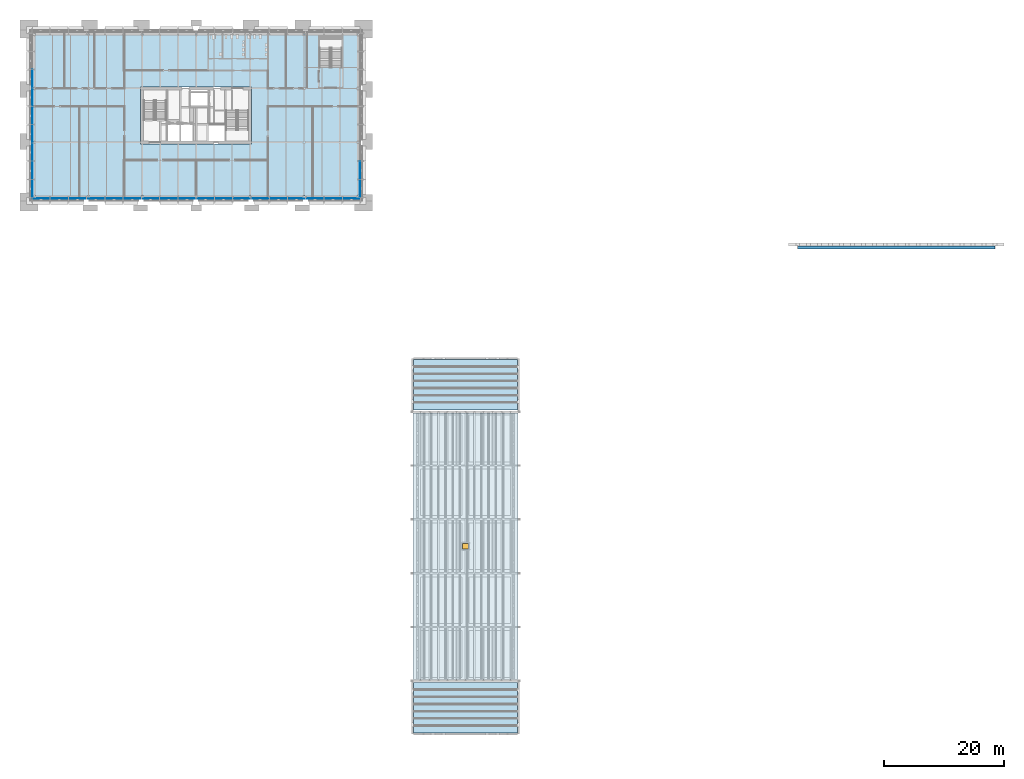
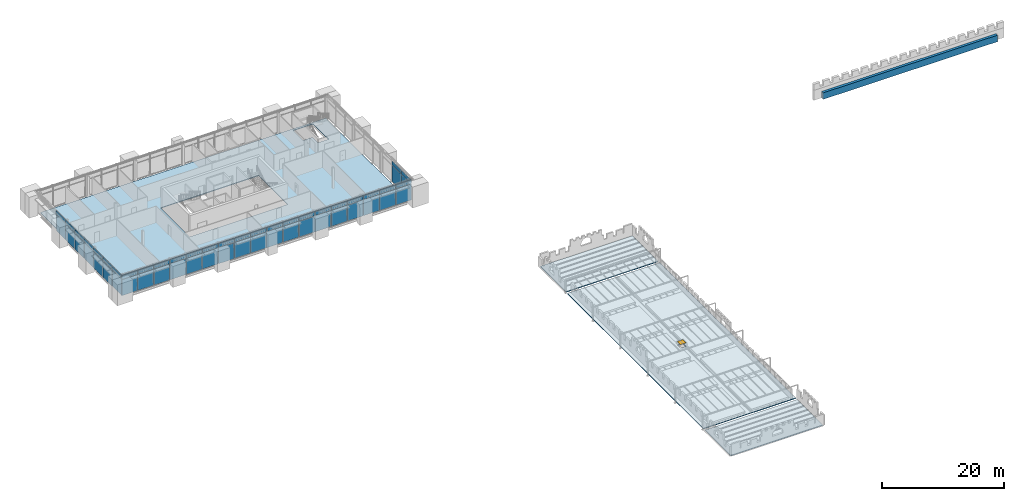
# One storey, part 17 of 37: 54 plates, 4 slabs, 1 beam, 1 window, 1 opening, 3 elements without a shape of their own.
"""IFC4 building model written with IfcOpenShell, lengths in metres."""

from ifc_helpers import new_model, si_unit, direction, frame, origin, origin_2d, place, context, subcontext, project, spatial, polyline, rectangle, hollow_rectangle, outline, extrude, material, layer, layer_set, material_profile, profile_set, type_object, element, fill, aggregate, save


model = new_model("IFC4")

# Units and contexts
model_context = context("Model", 3, precision=1e-05, world=origin(), true_north=direction((0.0, 1.0)))
body_context = subcontext(model_context, "Body", "Model", "MODEL_VIEW")
ifc_project = project(units=[si_unit("LENGTHUNIT", "METRE"), si_unit("AREAUNIT", "SQUARE_METRE"), si_unit("VOLUMEUNIT", "CUBIC_METRE"), si_unit("PLANEANGLEUNIT", "RADIAN"), si_unit("MASSUNIT", "GRAM", prefix="KILO")], contexts=[model_context])

# Site, building, storey
site_placement = place(None, origin())
site = spatial("IfcSite", under=ifc_project, at=site_placement, CompositionType="ELEMENT")
building_placement = place(site_placement, origin())
building = spatial("IfcBuilding", under=site, at=building_placement, Name="Baradari Gate Terminus", CompositionType="ELEMENT")
storey_placement = place(building_placement, frame((0.0, 0.0, 24.300048828125)))
storey = spatial("IfcBuildingStorey", under=building, at=storey_placement, Name="L05", CompositionType="ELEMENT", Elevation=24.300048828125)

# Beam
ifc_material_1 = material(Name="Steel S355", Category="steel")
ifc_material_profile = material_profile(ifc_material_1, hollow_rectangle(XDim=0.5, YDim=1.300048828125, WallThickness=0.02490234375, at=origin_2d()), Name="FB 500x1300x25")
ifc_profile_set = profile_set([ifc_material_profile], Name="Steel S355")
beam_type = type_object("IfcBeamType", Name="Pishtaq fascia girder B68 FB 500x1300x25", PredefinedType="BEAM", material=ifc_profile_set)
beam_placement = place(storey_placement, frame((136.5, 108.449951171875, 0.349853515625), z_axis=(1.0, 0.0, 0.0), x_axis=(0.0, 1.0, 0.0)))
element("IfcBeam", 1, at=beam_placement, inside=storey, type_object=beam_type, Name="Pishtaq fascia girder B68 136.5-169.5 L05", PredefinedType="BEAM", context=body_context, shape_type="SweptSolid", body=[
    extrude(hollow_rectangle(XDim=0.5, YDim=1.300048828125, WallThickness=0.02490234375, at=origin_2d()), origin(), (0.0, 0.0, 1.0), 33.0),
])

# Slab
ifc_material_2 = material(Name="Concrete C35/45", Category="concrete")
ifc_layer_1 = layer(ifc_material_2, 0.1298828125)
ifc_layer_set_1 = layer_set([ifc_layer_1], Name="Concrete C35/45")
slab_type_1 = type_object("IfcSlabType", Name="Composite floor slab SL1 130", PredefinedType="FLOOR", material=ifc_layer_set_1)
slab_1_placement = place(storey_placement, frame((0.0, 0.0, -0.130126953125)))
element("IfcSlab", 2, at=slab_1_placement, inside=storey, type_object=slab_type_1, Name="Block floor", PredefinedType="FLOOR", context=body_context, shape_type="SweptSolid", body=[
    extrude(outline(polyline([(63.0, 117.0), (63.0, 144.0), (9.0, 144.0), (9.0, 117.0), (63.0, 117.0)]), holes=[polyline([(56.60009765625, 143.60009765625), (56.60009765625, 140.320068359375), (58.39990234375, 140.320068359375), (58.39990234375, 138.5), (60.39990234375, 138.5), (60.39990234375, 143.60009765625), (56.60009765625, 143.60009765625)]), polyline([(26.72509765625, 125.72509765625), (45.27490234375, 125.72509765625), (45.27490234375, 126.22509765625), (45.27490234375, 134.77490234375), (45.27490234375, 135.27490234375), (26.72509765625, 135.27490234375), (26.72509765625, 134.77490234375), (26.72509765625, 126.22509765625), (26.72509765625, 125.72509765625)])]), origin(), (0.0, 0.0, 1.0), 0.130126953125),
])

# Slab, opening, window
ifc_material_3 = material(Name="Concrete C35/45", Category="concrete")
ifc_layer_2 = layer(ifc_material_3, 0.14990234375)
ifc_layer_set_2 = layer_set([ifc_layer_2], Name="Concrete C35/45")
slab_type_2 = type_object("IfcSlabType", Name="Composite roof slab SL2 150", PredefinedType="ROOF", material=ifc_layer_set_2)
slab_2_placement = place(storey_placement, frame((0.0, 0.0, -0.150146484375)))
slab_2 = element("IfcSlab", 3, at=slab_2_placement, inside=storey, type_object=slab_type_2, Name="Gate roof", PredefinedType="ROOF", context=body_context, shape_type="SweptSolid", body=[
    extrude(outline(polyline([(72.25, 80.800048828125), (72.25, 36.199951171875), (89.75, 36.199951171875), (89.75, 80.800048828125), (72.25, 80.800048828125)])), origin(), (0.0, 0.0, 1.0), 0.150146484375),
])
opening_placement = place(slab_2_placement, frame((81.0, 58.5, 0.0)))
opening = element("IfcOpeningElement", 4, at=opening_placement, cuts=slab_2, Name="Opening RH1", PredefinedType="OPENING", context=body_context, shape_type="SweptSolid", body=[
    extrude(rectangle(XDim=1.0, YDim=1.0, at=origin_2d()), frame((0.0, 0.0, -0.010009765625)), (0.0, 0.0, 1.0), 0.8701171875),
])
ifc_material_4 = material(Name="Aluminium", Category="aluminium")
window_type = type_object("IfcWindowType", Name="Roof access hatch", PartitioningType="SINGLE_PANEL", PredefinedType="SKYLIGHT", material=ifc_material_4)
window_placement = place(opening_placement, frame((0.0, 0.0, 0.800048828125)))
window = element("IfcWindow", 5, at=window_placement, inside=storey, type_object=window_type, Name="RF/L05/RH4", OverallHeight=1.0, OverallWidth=1.0, PartitioningType="SINGLE_PANEL", PredefinedType="SKYLIGHT", context=body_context, shape_type="SweptSolid", body=[
    extrude(rectangle(XDim=1.0, YDim=1.0, at=origin_2d()), origin(), (0.0, 0.0, 1.0), 0.050048828125),
])
fill(opening, window)

# Slabs
slab_3_placement = place(storey_placement, frame((0.0, 0.0, -0.150146484375)))
element("IfcSlab", 6, at=slab_3_placement, inside=storey, type_object=slab_type_2, Name="Gate abutment roof N", PredefinedType="ROOF", context=body_context, shape_type="SweptSolid", body=[
    extrude(outline(polyline([(89.699951171875, 89.699951171875), (72.300048828125, 89.699951171875), (72.300048828125, 81.300048828125), (89.699951171875, 81.300048828125), (89.699951171875, 89.699951171875)])), origin(), (0.0, 0.0, 1.0), 0.150146484375),
])
slab_4_placement = place(storey_placement, frame((0.0, 0.0, -0.150146484375)))
element("IfcSlab", 7, at=slab_4_placement, inside=storey, type_object=slab_type_2, Name="Gate abutment roof S", PredefinedType="ROOF", context=body_context, shape_type="SweptSolid", body=[
    extrude(outline(polyline([(72.300048828125, 35.699951171875), (72.300048828125, 27.300048828125), (89.699951171875, 27.300048828125), (89.699951171875, 35.699951171875), (72.300048828125, 35.699951171875)])), origin(), (0.0, 0.0, 1.0), 0.150146484375),
])

# Curtain wall, plates
ifc_material_5 = material(Name="Aluminium 6063-T6", Category="aluminium")
curtain_wall_type = type_object("IfcCurtainWallType", Name="Curtain wall CW-1 block unitised, zone L02-L05", PredefinedType="NOTDEFINED", material=ifc_material_5)
curtain_wall_1_placement = place(storey_placement, origin())
curtain_wall_1 = element("IfcCurtainWall", 8, at=curtain_wall_1_placement, inside=storey, type_object=curtain_wall_type, Name="Curtain wall CW-1 Operations block S face L05", PredefinedType="NOTDEFINED")
ifc_material_6 = material(Name="Insulating glass unit", Category="glass")
ifc_layer_3 = layer(ifc_material_6, 0.030029296875)
ifc_layer_set_3 = layer_set([ifc_layer_3], Name="Insulating glass unit")
plate_type_1 = type_object("IfcPlateType", Name="Curtain wall glazing unit CP-1 30", PredefinedType="CURTAIN_PANEL", material=ifc_layer_set_3)
plate_1_placement = place(storey_placement, frame((10.072265625, 116.6298828125, 0.06494140625), z_axis=(0.0, 0.0, 1.0), x_axis=(1.0, 0.0, 0.0)))
plate_1 = element("IfcPlate", 9, at=plate_1_placement, type_object=plate_type_1, Name="CW-1 panel 1.1", PredefinedType="CURTAIN_PANEL", context=body_context, shape_type="SweptSolid", body=[
    extrude(rectangle(XDim=2.954833984375, YDim=0.030029296875, at=origin_2d()), origin(), (0.0, 0.0, 1.0), 3.202392578125),
])
plate_2_placement = place(storey_placement, frame((13.1083984375, 116.6298828125, 0.06494140625), z_axis=(0.0, 0.0, 1.0), x_axis=(1.0, 0.0, 0.0)))
plate_2 = element("IfcPlate", 10, at=plate_2_placement, type_object=plate_type_1, Name="CW-1 panel 2.1", PredefinedType="CURTAIN_PANEL", context=body_context, shape_type="SweptSolid", body=[
    extrude(rectangle(XDim=2.9873046875, YDim=0.030029296875, at=origin_2d()), origin(), (0.0, 0.0, 1.0), 3.202392578125),
])
plate_3_placement = place(storey_placement, frame((16.16064453125, 116.6298828125, 0.06494140625), z_axis=(0.0, 0.0, 1.0), x_axis=(1.0, 0.0, 0.0)))
plate_3 = element("IfcPlate", 11, at=plate_3_placement, type_object=plate_type_1, Name="CW-1 panel 3.1", PredefinedType="CURTAIN_PANEL", context=body_context, shape_type="SweptSolid", body=[
    extrude(rectangle(XDim=2.9873046875, YDim=0.030029296875, at=origin_2d()), origin(), (0.0, 0.0, 1.0), 3.202392578125),
])
plate_4_placement = place(storey_placement, frame((19.212890625, 116.6298828125, 0.06494140625), z_axis=(0.0, 0.0, 1.0), x_axis=(1.0, 0.0, 0.0)))
plate_4 = element("IfcPlate", 12, at=plate_4_placement, type_object=plate_type_1, Name="CW-1 panel 4.1", PredefinedType="CURTAIN_PANEL", context=body_context, shape_type="SweptSolid", body=[
    extrude(rectangle(XDim=2.9873046875, YDim=0.030029296875, at=origin_2d()), origin(), (0.0, 0.0, 1.0), 3.202392578125),
])
plate_5_placement = place(storey_placement, frame((22.264892578125, 116.6298828125, 0.06494140625), z_axis=(0.0, 0.0, 1.0), x_axis=(1.0, 0.0, 0.0)))
plate_5 = element("IfcPlate", 13, at=plate_5_placement, type_object=plate_type_1, Name="CW-1 panel 5.1", PredefinedType="CURTAIN_PANEL", context=body_context, shape_type="SweptSolid", body=[
    extrude(rectangle(XDim=2.9873046875, YDim=0.030029296875, at=origin_2d()), origin(), (0.0, 0.0, 1.0), 3.202392578125),
])
plate_6_placement = place(storey_placement, frame((25.317138671875, 116.6298828125, 0.06494140625), z_axis=(0.0, 0.0, 1.0), x_axis=(1.0, 0.0, 0.0)))
plate_6 = element("IfcPlate", 14, at=plate_6_placement, type_object=plate_type_1, Name="CW-1 panel 6.1", PredefinedType="CURTAIN_PANEL", context=body_context, shape_type="SweptSolid", body=[
    extrude(rectangle(XDim=2.9873046875, YDim=0.030029296875, at=origin_2d()), origin(), (0.0, 0.0, 1.0), 3.202392578125),
])
plate_7_placement = place(storey_placement, frame((28.369384765625, 116.6298828125, 0.06494140625), z_axis=(0.0, 0.0, 1.0), x_axis=(1.0, 0.0, 0.0)))
plate_7 = element("IfcPlate", 15, at=plate_7_placement, type_object=plate_type_1, Name="CW-1 panel 7.1", PredefinedType="CURTAIN_PANEL", context=body_context, shape_type="SweptSolid", body=[
    extrude(rectangle(XDim=2.9873046875, YDim=0.030029296875, at=origin_2d()), origin(), (0.0, 0.0, 1.0), 3.202392578125),
])
plate_8_placement = place(storey_placement, frame((31.421630859375, 116.6298828125, 0.06494140625), z_axis=(0.0, 0.0, 1.0), x_axis=(1.0, 0.0, 0.0)))
plate_8 = element("IfcPlate", 16, at=plate_8_placement, type_object=plate_type_1, Name="CW-1 panel 8.1", PredefinedType="CURTAIN_PANEL", context=body_context, shape_type="SweptSolid", body=[
    extrude(rectangle(XDim=2.9873046875, YDim=0.030029296875, at=origin_2d()), origin(), (0.0, 0.0, 1.0), 3.202392578125),
])
plate_9_placement = place(storey_placement, frame((34.473876953125, 116.6298828125, 0.06494140625), z_axis=(0.0, 0.0, 1.0), x_axis=(1.0, 0.0, 0.0)))
plate_9 = element("IfcPlate", 17, at=plate_9_placement, type_object=plate_type_1, Name="CW-1 panel 9.1", PredefinedType="CURTAIN_PANEL", context=body_context, shape_type="SweptSolid", body=[
    extrude(rectangle(XDim=2.9873046875, YDim=0.030029296875, at=origin_2d()), origin(), (0.0, 0.0, 1.0), 3.202392578125),
])
plate_10_placement = place(storey_placement, frame((37.526123046875, 116.6298828125, 0.06494140625), z_axis=(0.0, 0.0, 1.0), x_axis=(1.0, 0.0, 0.0)))
plate_10 = element("IfcPlate", 18, at=plate_10_placement, type_object=plate_type_1, Name="CW-1 panel 10.1", PredefinedType="CURTAIN_PANEL", context=body_context, shape_type="SweptSolid", body=[
    extrude(rectangle(XDim=2.9873046875, YDim=0.030029296875, at=origin_2d()), origin(), (0.0, 0.0, 1.0), 3.202392578125),
])
plate_11_placement = place(storey_placement, frame((40.578369140625, 116.6298828125, 0.06494140625), z_axis=(0.0, 0.0, 1.0), x_axis=(1.0, 0.0, 0.0)))
plate_11 = element("IfcPlate", 19, at=plate_11_placement, type_object=plate_type_1, Name="CW-1 panel 11.1", PredefinedType="CURTAIN_PANEL", context=body_context, shape_type="SweptSolid", body=[
    extrude(rectangle(XDim=2.9873046875, YDim=0.030029296875, at=origin_2d()), origin(), (0.0, 0.0, 1.0), 3.202392578125),
])
plate_12_placement = place(storey_placement, frame((43.630615234375, 116.6298828125, 0.06494140625), z_axis=(0.0, 0.0, 1.0), x_axis=(1.0, 0.0, 0.0)))
plate_12 = element("IfcPlate", 20, at=plate_12_placement, type_object=plate_type_1, Name="CW-1 panel 12.1", PredefinedType="CURTAIN_PANEL", context=body_context, shape_type="SweptSolid", body=[
    extrude(rectangle(XDim=2.9873046875, YDim=0.030029296875, at=origin_2d()), origin(), (0.0, 0.0, 1.0), 3.202392578125),
])
plate_13_placement = place(storey_placement, frame((46.682861328125, 116.6298828125, 0.06494140625), z_axis=(0.0, 0.0, 1.0), x_axis=(1.0, 0.0, 0.0)))
plate_13 = element("IfcPlate", 21, at=plate_13_placement, type_object=plate_type_1, Name="CW-1 panel 13.1", PredefinedType="CURTAIN_PANEL", context=body_context, shape_type="SweptSolid", body=[
    extrude(rectangle(XDim=2.9873046875, YDim=0.030029296875, at=origin_2d()), origin(), (0.0, 0.0, 1.0), 3.202392578125),
])
plate_14_placement = place(storey_placement, frame((49.735107421875, 116.6298828125, 0.06494140625), z_axis=(0.0, 0.0, 1.0), x_axis=(1.0, 0.0, 0.0)))
plate_14 = element("IfcPlate", 22, at=plate_14_placement, type_object=plate_type_1, Name="CW-1 panel 14.1", PredefinedType="CURTAIN_PANEL", context=body_context, shape_type="SweptSolid", body=[
    extrude(rectangle(XDim=2.9873046875, YDim=0.030029296875, at=origin_2d()), origin(), (0.0, 0.0, 1.0), 3.202392578125),
])
plate_15_placement = place(storey_placement, frame((52.787109375, 116.6298828125, 0.06494140625), z_axis=(0.0, 0.0, 1.0), x_axis=(1.0, 0.0, 0.0)))
plate_15 = element("IfcPlate", 23, at=plate_15_placement, type_object=plate_type_1, Name="CW-1 panel 15.1", PredefinedType="CURTAIN_PANEL", context=body_context, shape_type="SweptSolid", body=[
    extrude(rectangle(XDim=2.9873046875, YDim=0.030029296875, at=origin_2d()), origin(), (0.0, 0.0, 1.0), 3.202392578125),
])
plate_16_placement = place(storey_placement, frame((55.83935546875, 116.6298828125, 0.06494140625), z_axis=(0.0, 0.0, 1.0), x_axis=(1.0, 0.0, 0.0)))
plate_16 = element("IfcPlate", 24, at=plate_16_placement, type_object=plate_type_1, Name="CW-1 panel 16.1", PredefinedType="CURTAIN_PANEL", context=body_context, shape_type="SweptSolid", body=[
    extrude(rectangle(XDim=2.9873046875, YDim=0.030029296875, at=origin_2d()), origin(), (0.0, 0.0, 1.0), 3.202392578125),
])
plate_17_placement = place(storey_placement, frame((58.8916015625, 116.6298828125, 0.06494140625), z_axis=(0.0, 0.0, 1.0), x_axis=(1.0, 0.0, 0.0)))
plate_17 = element("IfcPlate", 25, at=plate_17_placement, type_object=plate_type_1, Name="CW-1 panel 17.1", PredefinedType="CURTAIN_PANEL", context=body_context, shape_type="SweptSolid", body=[
    extrude(rectangle(XDim=2.9873046875, YDim=0.030029296875, at=origin_2d()), origin(), (0.0, 0.0, 1.0), 3.202392578125),
])
plate_18_placement = place(storey_placement, frame((61.927734375, 116.6298828125, 0.06494140625), z_axis=(0.0, 0.0, 1.0), x_axis=(1.0, 0.0, 0.0)))
plate_18 = element("IfcPlate", 26, at=plate_18_placement, type_object=plate_type_1, Name="CW-1 panel 18.1", PredefinedType="CURTAIN_PANEL", context=body_context, shape_type="SweptSolid", body=[
    extrude(rectangle(XDim=2.954833984375, YDim=0.030029296875, at=origin_2d()), origin(), (0.0, 0.0, 1.0), 3.202392578125),
])

curtain_wall_2_placement = place(storey_placement, origin())
curtain_wall_2 = element("IfcCurtainWall", 27, at=curtain_wall_2_placement, inside=storey, type_object=curtain_wall_type, Name="Curtain wall CW-1 Operations block W face L05", PredefinedType="NOTDEFINED")
plate_19_placement = place(storey_placement, frame((8.6298828125, 118.2763671875, 0.06494140625), z_axis=(0.0, 0.0, 1.0), x_axis=(0.0, 1.0, 0.0)))
plate_19 = element("IfcPlate", 28, at=plate_19_placement, type_object=plate_type_1, Name="CW-1 panel 1.1", PredefinedType="CURTAIN_PANEL", context=body_context, shape_type="SweptSolid", body=[
    extrude(rectangle(XDim=2.96240234375, YDim=0.030029296875, at=origin_2d()), origin(), (0.0, 0.0, 1.0), 3.202392578125),
])
plate_20_placement = place(storey_placement, frame((8.6298828125, 121.320068359375, 0.06494140625), z_axis=(0.0, 0.0, 1.0), x_axis=(0.0, 1.0, 0.0)))
plate_20 = element("IfcPlate", 29, at=plate_20_placement, type_object=plate_type_1, Name="CW-1 panel 2.1", PredefinedType="CURTAIN_PANEL", context=body_context, shape_type="SweptSolid", body=[
    extrude(rectangle(XDim=2.9951171875, YDim=0.030029296875, at=origin_2d()), origin(), (0.0, 0.0, 1.0), 3.202392578125),
])
plate_21_placement = place(storey_placement, frame((8.6298828125, 124.3798828125, 0.06494140625), z_axis=(0.0, 0.0, 1.0), x_axis=(0.0, 1.0, 0.0)))
plate_21 = element("IfcPlate", 30, at=plate_21_placement, type_object=plate_type_1, Name="CW-1 panel 3.1", PredefinedType="CURTAIN_PANEL", context=body_context, shape_type="SweptSolid", body=[
    extrude(rectangle(XDim=2.9951171875, YDim=0.030029296875, at=origin_2d()), origin(), (0.0, 0.0, 1.0), 3.202392578125),
])
plate_22_placement = place(storey_placement, frame((8.6298828125, 127.43994140625, 0.06494140625), z_axis=(0.0, 0.0, 1.0), x_axis=(0.0, 1.0, 0.0)))
plate_22 = element("IfcPlate", 31, at=plate_22_placement, type_object=plate_type_1, Name="CW-1 panel 4.1", PredefinedType="CURTAIN_PANEL", context=body_context, shape_type="SweptSolid", body=[
    extrude(rectangle(XDim=2.9951171875, YDim=0.030029296875, at=origin_2d()), origin(), (0.0, 0.0, 1.0), 3.202392578125),
])
plate_23_placement = place(storey_placement, frame((8.6298828125, 130.5, 0.06494140625), z_axis=(0.0, 0.0, 1.0), x_axis=(0.0, 1.0, 0.0)))
plate_23 = element("IfcPlate", 32, at=plate_23_placement, type_object=plate_type_1, Name="CW-1 panel 5.1", PredefinedType="CURTAIN_PANEL", context=body_context, shape_type="SweptSolid", body=[
    extrude(rectangle(XDim=2.9951171875, YDim=0.030029296875, at=origin_2d()), origin(), (0.0, 0.0, 1.0), 3.202392578125),
])
plate_24_placement = place(storey_placement, frame((8.6298828125, 133.56005859375, 0.06494140625), z_axis=(0.0, 0.0, 1.0), x_axis=(0.0, 1.0, 0.0)))
plate_24 = element("IfcPlate", 33, at=plate_24_placement, type_object=plate_type_1, Name="CW-1 panel 6.1", PredefinedType="CURTAIN_PANEL", context=body_context, shape_type="SweptSolid", body=[
    extrude(rectangle(XDim=2.9951171875, YDim=0.030029296875, at=origin_2d()), origin(), (0.0, 0.0, 1.0), 3.202392578125),
])
plate_25_placement = place(storey_placement, frame((8.6298828125, 136.6201171875, 0.06494140625), z_axis=(0.0, 0.0, 1.0), x_axis=(0.0, 1.0, 0.0)))
plate_25 = element("IfcPlate", 34, at=plate_25_placement, type_object=plate_type_1, Name="CW-1 panel 7.1", PredefinedType="CURTAIN_PANEL", context=body_context, shape_type="SweptSolid", body=[
    extrude(rectangle(XDim=2.9951171875, YDim=0.030029296875, at=origin_2d()), origin(), (0.0, 0.0, 1.0), 3.202392578125),
])

curtain_wall_3_placement = place(storey_placement, origin())
curtain_wall_3 = element("IfcCurtainWall", 35, at=curtain_wall_3_placement, inside=storey, type_object=curtain_wall_type, Name="Curtain wall CW-1 Operations block E face L05", PredefinedType="NOTDEFINED")
plate_26_placement = place(storey_placement, frame((63.3701171875, 118.2763671875, 0.06494140625), z_axis=(0.0, 0.0, 1.0), x_axis=(0.0, 1.0, 0.0)))
plate_26 = element("IfcPlate", 36, at=plate_26_placement, type_object=plate_type_1, Name="CW-1 panel 1.1", PredefinedType="CURTAIN_PANEL", context=body_context, shape_type="SweptSolid", body=[
    extrude(rectangle(XDim=2.96240234375, YDim=0.030029296875, at=origin_2d()), origin(), (0.0, 0.0, 1.0), 3.202392578125),
])
plate_27_placement = place(storey_placement, frame((63.3701171875, 121.320068359375, 0.06494140625), z_axis=(0.0, 0.0, 1.0), x_axis=(0.0, 1.0, 0.0)))
plate_27 = element("IfcPlate", 37, at=plate_27_placement, type_object=plate_type_1, Name="CW-1 panel 2.1", PredefinedType="CURTAIN_PANEL", context=body_context, shape_type="SweptSolid", body=[
    extrude(rectangle(XDim=2.9951171875, YDim=0.030029296875, at=origin_2d()), origin(), (0.0, 0.0, 1.0), 3.202392578125),
])

# Plate
ifc_material_7 = material(Name="Back-painted glass", Category="glass")
ifc_layer_4 = layer(ifc_material_7, 0.070068359375)
ifc_layer_set_4 = layer_set([ifc_layer_4], Name="Back-painted glass")
plate_type_2 = type_object("IfcPlateType", Name="Curtain wall spandrel panel CP-S1 70", PredefinedType="CURTAIN_PANEL", material=ifc_layer_set_4)
plate_28_placement = place(storey_placement, frame((10.072265625, 116.6298828125, 3.33251953125), z_axis=(0.0, 0.0, 1.0), x_axis=(1.0, 0.0, 0.0)))
plate_28 = element("IfcPlate", 38, at=plate_28_placement, type_object=plate_type_2, Name="CW-1 spandrel panel 1.2", PredefinedType="CURTAIN_PANEL", context=body_context, shape_type="SweptSolid", body=[
    extrude(rectangle(XDim=2.954833984375, YDim=0.070068359375, at=origin_2d()), origin(), (0.0, 0.0, 1.0), 0.802490234375),
])

plate_29_placement = place(storey_placement, frame((13.1083984375, 116.6298828125, 3.33251953125), z_axis=(0.0, 0.0, 1.0), x_axis=(1.0, 0.0, 0.0)))
plate_29 = element("IfcPlate", 39, at=plate_29_placement, type_object=plate_type_2, Name="CW-1 spandrel panel 2.2", PredefinedType="CURTAIN_PANEL", context=body_context, shape_type="SweptSolid", body=[
    extrude(rectangle(XDim=2.9873046875, YDim=0.070068359375, at=origin_2d()), origin(), (0.0, 0.0, 1.0), 0.802490234375),
])

plate_30_placement = place(storey_placement, frame((16.16064453125, 116.6298828125, 3.33251953125), z_axis=(0.0, 0.0, 1.0), x_axis=(1.0, 0.0, 0.0)))
plate_30 = element("IfcPlate", 40, at=plate_30_placement, type_object=plate_type_2, Name="CW-1 spandrel panel 3.2", PredefinedType="CURTAIN_PANEL", context=body_context, shape_type="SweptSolid", body=[
    extrude(rectangle(XDim=2.9873046875, YDim=0.070068359375, at=origin_2d()), origin(), (0.0, 0.0, 1.0), 0.802490234375),
])

plate_31_placement = place(storey_placement, frame((19.212890625, 116.6298828125, 3.33251953125), z_axis=(0.0, 0.0, 1.0), x_axis=(1.0, 0.0, 0.0)))
plate_31 = element("IfcPlate", 41, at=plate_31_placement, type_object=plate_type_2, Name="CW-1 spandrel panel 4.2", PredefinedType="CURTAIN_PANEL", context=body_context, shape_type="SweptSolid", body=[
    extrude(rectangle(XDim=2.9873046875, YDim=0.070068359375, at=origin_2d()), origin(), (0.0, 0.0, 1.0), 0.802490234375),
])

plate_32_placement = place(storey_placement, frame((22.264892578125, 116.6298828125, 3.33251953125), z_axis=(0.0, 0.0, 1.0), x_axis=(1.0, 0.0, 0.0)))
plate_32 = element("IfcPlate", 42, at=plate_32_placement, type_object=plate_type_2, Name="CW-1 spandrel panel 5.2", PredefinedType="CURTAIN_PANEL", context=body_context, shape_type="SweptSolid", body=[
    extrude(rectangle(XDim=2.9873046875, YDim=0.070068359375, at=origin_2d()), origin(), (0.0, 0.0, 1.0), 0.802490234375),
])

plate_33_placement = place(storey_placement, frame((25.317138671875, 116.6298828125, 3.33251953125), z_axis=(0.0, 0.0, 1.0), x_axis=(1.0, 0.0, 0.0)))
plate_33 = element("IfcPlate", 43, at=plate_33_placement, type_object=plate_type_2, Name="CW-1 spandrel panel 6.2", PredefinedType="CURTAIN_PANEL", context=body_context, shape_type="SweptSolid", body=[
    extrude(rectangle(XDim=2.9873046875, YDim=0.070068359375, at=origin_2d()), origin(), (0.0, 0.0, 1.0), 0.802490234375),
])

plate_34_placement = place(storey_placement, frame((28.369384765625, 116.6298828125, 3.33251953125), z_axis=(0.0, 0.0, 1.0), x_axis=(1.0, 0.0, 0.0)))
plate_34 = element("IfcPlate", 44, at=plate_34_placement, type_object=plate_type_2, Name="CW-1 spandrel panel 7.2", PredefinedType="CURTAIN_PANEL", context=body_context, shape_type="SweptSolid", body=[
    extrude(rectangle(XDim=2.9873046875, YDim=0.070068359375, at=origin_2d()), origin(), (0.0, 0.0, 1.0), 0.802490234375),
])

plate_35_placement = place(storey_placement, frame((31.421630859375, 116.6298828125, 3.33251953125), z_axis=(0.0, 0.0, 1.0), x_axis=(1.0, 0.0, 0.0)))
plate_35 = element("IfcPlate", 45, at=plate_35_placement, type_object=plate_type_2, Name="CW-1 spandrel panel 8.2", PredefinedType="CURTAIN_PANEL", context=body_context, shape_type="SweptSolid", body=[
    extrude(rectangle(XDim=2.9873046875, YDim=0.070068359375, at=origin_2d()), origin(), (0.0, 0.0, 1.0), 0.802490234375),
])

plate_36_placement = place(storey_placement, frame((34.473876953125, 116.6298828125, 3.33251953125), z_axis=(0.0, 0.0, 1.0), x_axis=(1.0, 0.0, 0.0)))
plate_36 = element("IfcPlate", 46, at=plate_36_placement, type_object=plate_type_2, Name="CW-1 spandrel panel 9.2", PredefinedType="CURTAIN_PANEL", context=body_context, shape_type="SweptSolid", body=[
    extrude(rectangle(XDim=2.9873046875, YDim=0.070068359375, at=origin_2d()), origin(), (0.0, 0.0, 1.0), 0.802490234375),
])

plate_37_placement = place(storey_placement, frame((37.526123046875, 116.6298828125, 3.33251953125), z_axis=(0.0, 0.0, 1.0), x_axis=(1.0, 0.0, 0.0)))
plate_37 = element("IfcPlate", 47, at=plate_37_placement, type_object=plate_type_2, Name="CW-1 spandrel panel 10.2", PredefinedType="CURTAIN_PANEL", context=body_context, shape_type="SweptSolid", body=[
    extrude(rectangle(XDim=2.9873046875, YDim=0.070068359375, at=origin_2d()), origin(), (0.0, 0.0, 1.0), 0.802490234375),
])

plate_38_placement = place(storey_placement, frame((40.578369140625, 116.6298828125, 3.33251953125), z_axis=(0.0, 0.0, 1.0), x_axis=(1.0, 0.0, 0.0)))
plate_38 = element("IfcPlate", 48, at=plate_38_placement, type_object=plate_type_2, Name="CW-1 spandrel panel 11.2", PredefinedType="CURTAIN_PANEL", context=body_context, shape_type="SweptSolid", body=[
    extrude(rectangle(XDim=2.9873046875, YDim=0.070068359375, at=origin_2d()), origin(), (0.0, 0.0, 1.0), 0.802490234375),
])

plate_39_placement = place(storey_placement, frame((43.630615234375, 116.6298828125, 3.33251953125), z_axis=(0.0, 0.0, 1.0), x_axis=(1.0, 0.0, 0.0)))
plate_39 = element("IfcPlate", 49, at=plate_39_placement, type_object=plate_type_2, Name="CW-1 spandrel panel 12.2", PredefinedType="CURTAIN_PANEL", context=body_context, shape_type="SweptSolid", body=[
    extrude(rectangle(XDim=2.9873046875, YDim=0.070068359375, at=origin_2d()), origin(), (0.0, 0.0, 1.0), 0.802490234375),
])

plate_40_placement = place(storey_placement, frame((46.682861328125, 116.6298828125, 3.33251953125), z_axis=(0.0, 0.0, 1.0), x_axis=(1.0, 0.0, 0.0)))
plate_40 = element("IfcPlate", 50, at=plate_40_placement, type_object=plate_type_2, Name="CW-1 spandrel panel 13.2", PredefinedType="CURTAIN_PANEL", context=body_context, shape_type="SweptSolid", body=[
    extrude(rectangle(XDim=2.9873046875, YDim=0.070068359375, at=origin_2d()), origin(), (0.0, 0.0, 1.0), 0.802490234375),
])

plate_41_placement = place(storey_placement, frame((49.735107421875, 116.6298828125, 3.33251953125), z_axis=(0.0, 0.0, 1.0), x_axis=(1.0, 0.0, 0.0)))
plate_41 = element("IfcPlate", 51, at=plate_41_placement, type_object=plate_type_2, Name="CW-1 spandrel panel 14.2", PredefinedType="CURTAIN_PANEL", context=body_context, shape_type="SweptSolid", body=[
    extrude(rectangle(XDim=2.9873046875, YDim=0.070068359375, at=origin_2d()), origin(), (0.0, 0.0, 1.0), 0.802490234375),
])

plate_42_placement = place(storey_placement, frame((52.787109375, 116.6298828125, 3.33251953125), z_axis=(0.0, 0.0, 1.0), x_axis=(1.0, 0.0, 0.0)))
plate_42 = element("IfcPlate", 52, at=plate_42_placement, type_object=plate_type_2, Name="CW-1 spandrel panel 15.2", PredefinedType="CURTAIN_PANEL", context=body_context, shape_type="SweptSolid", body=[
    extrude(rectangle(XDim=2.9873046875, YDim=0.070068359375, at=origin_2d()), origin(), (0.0, 0.0, 1.0), 0.802490234375),
])

plate_43_placement = place(storey_placement, frame((55.83935546875, 116.6298828125, 3.33251953125), z_axis=(0.0, 0.0, 1.0), x_axis=(1.0, 0.0, 0.0)))
plate_43 = element("IfcPlate", 53, at=plate_43_placement, type_object=plate_type_2, Name="CW-1 spandrel panel 16.2", PredefinedType="CURTAIN_PANEL", context=body_context, shape_type="SweptSolid", body=[
    extrude(rectangle(XDim=2.9873046875, YDim=0.070068359375, at=origin_2d()), origin(), (0.0, 0.0, 1.0), 0.802490234375),
])

plate_44_placement = place(storey_placement, frame((58.8916015625, 116.6298828125, 3.33251953125), z_axis=(0.0, 0.0, 1.0), x_axis=(1.0, 0.0, 0.0)))
plate_44 = element("IfcPlate", 54, at=plate_44_placement, type_object=plate_type_2, Name="CW-1 spandrel panel 17.2", PredefinedType="CURTAIN_PANEL", context=body_context, shape_type="SweptSolid", body=[
    extrude(rectangle(XDim=2.9873046875, YDim=0.070068359375, at=origin_2d()), origin(), (0.0, 0.0, 1.0), 0.802490234375),
])

plate_45_placement = place(storey_placement, frame((61.927734375, 116.6298828125, 3.33251953125), z_axis=(0.0, 0.0, 1.0), x_axis=(1.0, 0.0, 0.0)))
plate_45 = element("IfcPlate", 55, at=plate_45_placement, type_object=plate_type_2, Name="CW-1 spandrel panel 18.2", PredefinedType="CURTAIN_PANEL", context=body_context, shape_type="SweptSolid", body=[
    extrude(rectangle(XDim=2.954833984375, YDim=0.070068359375, at=origin_2d()), origin(), (0.0, 0.0, 1.0), 0.802490234375),
])

aggregate(curtain_wall_1, [plate_1, plate_28, plate_2, plate_29, plate_3, plate_30, plate_4, plate_31, plate_5, plate_32, plate_6, plate_33, plate_7, plate_34, plate_8, plate_35, plate_9, plate_36, plate_10, plate_37, plate_11, plate_38, plate_12, plate_39, plate_13, plate_40, plate_14, plate_41, plate_15, plate_42, plate_16, plate_43, plate_17, plate_44, plate_18, plate_45])

plate_46_placement = place(storey_placement, frame((8.6298828125, 118.2763671875, 3.33251953125), z_axis=(0.0, 0.0, 1.0), x_axis=(0.0, 1.0, 0.0)))
plate_46 = element("IfcPlate", 56, at=plate_46_placement, type_object=plate_type_2, Name="CW-1 spandrel panel 1.2", PredefinedType="CURTAIN_PANEL", context=body_context, shape_type="SweptSolid", body=[
    extrude(rectangle(XDim=2.96240234375, YDim=0.070068359375, at=origin_2d()), origin(), (0.0, 0.0, 1.0), 0.802490234375),
])

plate_47_placement = place(storey_placement, frame((8.6298828125, 121.320068359375, 3.33251953125), z_axis=(0.0, 0.0, 1.0), x_axis=(0.0, 1.0, 0.0)))
plate_47 = element("IfcPlate", 57, at=plate_47_placement, type_object=plate_type_2, Name="CW-1 spandrel panel 2.2", PredefinedType="CURTAIN_PANEL", context=body_context, shape_type="SweptSolid", body=[
    extrude(rectangle(XDim=2.9951171875, YDim=0.070068359375, at=origin_2d()), origin(), (0.0, 0.0, 1.0), 0.802490234375),
])

plate_48_placement = place(storey_placement, frame((8.6298828125, 124.3798828125, 3.33251953125), z_axis=(0.0, 0.0, 1.0), x_axis=(0.0, 1.0, 0.0)))
plate_48 = element("IfcPlate", 58, at=plate_48_placement, type_object=plate_type_2, Name="CW-1 spandrel panel 3.2", PredefinedType="CURTAIN_PANEL", context=body_context, shape_type="SweptSolid", body=[
    extrude(rectangle(XDim=2.9951171875, YDim=0.070068359375, at=origin_2d()), origin(), (0.0, 0.0, 1.0), 0.802490234375),
])

plate_49_placement = place(storey_placement, frame((8.6298828125, 127.43994140625, 3.33251953125), z_axis=(0.0, 0.0, 1.0), x_axis=(0.0, 1.0, 0.0)))
plate_49 = element("IfcPlate", 59, at=plate_49_placement, type_object=plate_type_2, Name="CW-1 spandrel panel 4.2", PredefinedType="CURTAIN_PANEL", context=body_context, shape_type="SweptSolid", body=[
    extrude(rectangle(XDim=2.9951171875, YDim=0.070068359375, at=origin_2d()), origin(), (0.0, 0.0, 1.0), 0.802490234375),
])

plate_50_placement = place(storey_placement, frame((8.6298828125, 130.5, 3.33251953125), z_axis=(0.0, 0.0, 1.0), x_axis=(0.0, 1.0, 0.0)))
plate_50 = element("IfcPlate", 60, at=plate_50_placement, type_object=plate_type_2, Name="CW-1 spandrel panel 5.2", PredefinedType="CURTAIN_PANEL", context=body_context, shape_type="SweptSolid", body=[
    extrude(rectangle(XDim=2.9951171875, YDim=0.070068359375, at=origin_2d()), origin(), (0.0, 0.0, 1.0), 0.802490234375),
])

plate_51_placement = place(storey_placement, frame((8.6298828125, 133.56005859375, 3.33251953125), z_axis=(0.0, 0.0, 1.0), x_axis=(0.0, 1.0, 0.0)))
plate_51 = element("IfcPlate", 61, at=plate_51_placement, type_object=plate_type_2, Name="CW-1 spandrel panel 6.2", PredefinedType="CURTAIN_PANEL", context=body_context, shape_type="SweptSolid", body=[
    extrude(rectangle(XDim=2.9951171875, YDim=0.070068359375, at=origin_2d()), origin(), (0.0, 0.0, 1.0), 0.802490234375),
])

plate_52_placement = place(storey_placement, frame((8.6298828125, 136.6201171875, 3.33251953125), z_axis=(0.0, 0.0, 1.0), x_axis=(0.0, 1.0, 0.0)))
plate_52 = element("IfcPlate", 62, at=plate_52_placement, type_object=plate_type_2, Name="CW-1 spandrel panel 7.2", PredefinedType="CURTAIN_PANEL", context=body_context, shape_type="SweptSolid", body=[
    extrude(rectangle(XDim=2.9951171875, YDim=0.070068359375, at=origin_2d()), origin(), (0.0, 0.0, 1.0), 0.802490234375),
])

aggregate(curtain_wall_2, [plate_19, plate_46, plate_20, plate_47, plate_21, plate_48, plate_22, plate_49, plate_23, plate_50, plate_24, plate_51, plate_25, plate_52])

plate_53_placement = place(storey_placement, frame((63.3701171875, 118.2763671875, 3.33251953125), z_axis=(0.0, 0.0, 1.0), x_axis=(0.0, 1.0, 0.0)))
plate_53 = element("IfcPlate", 63, at=plate_53_placement, type_object=plate_type_2, Name="CW-1 spandrel panel 1.2", PredefinedType="CURTAIN_PANEL", context=body_context, shape_type="SweptSolid", body=[
    extrude(rectangle(XDim=2.96240234375, YDim=0.070068359375, at=origin_2d()), origin(), (0.0, 0.0, 1.0), 0.802490234375),
])

plate_54_placement = place(storey_placement, frame((63.3701171875, 121.320068359375, 3.33251953125), z_axis=(0.0, 0.0, 1.0), x_axis=(0.0, 1.0, 0.0)))
plate_54 = element("IfcPlate", 64, at=plate_54_placement, type_object=plate_type_2, Name="CW-1 spandrel panel 2.2", PredefinedType="CURTAIN_PANEL", context=body_context, shape_type="SweptSolid", body=[
    extrude(rectangle(XDim=2.9951171875, YDim=0.070068359375, at=origin_2d()), origin(), (0.0, 0.0, 1.0), 0.802490234375),
])

aggregate(curtain_wall_3, [plate_26, plate_53, plate_27, plate_54])

save(model, "model.ifc")
